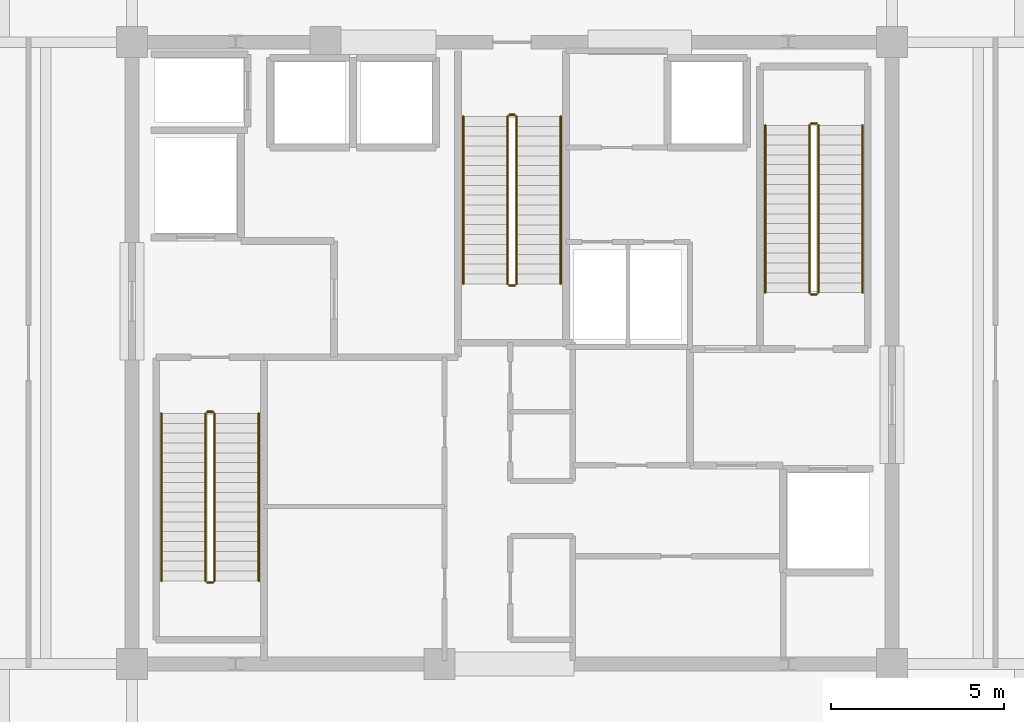
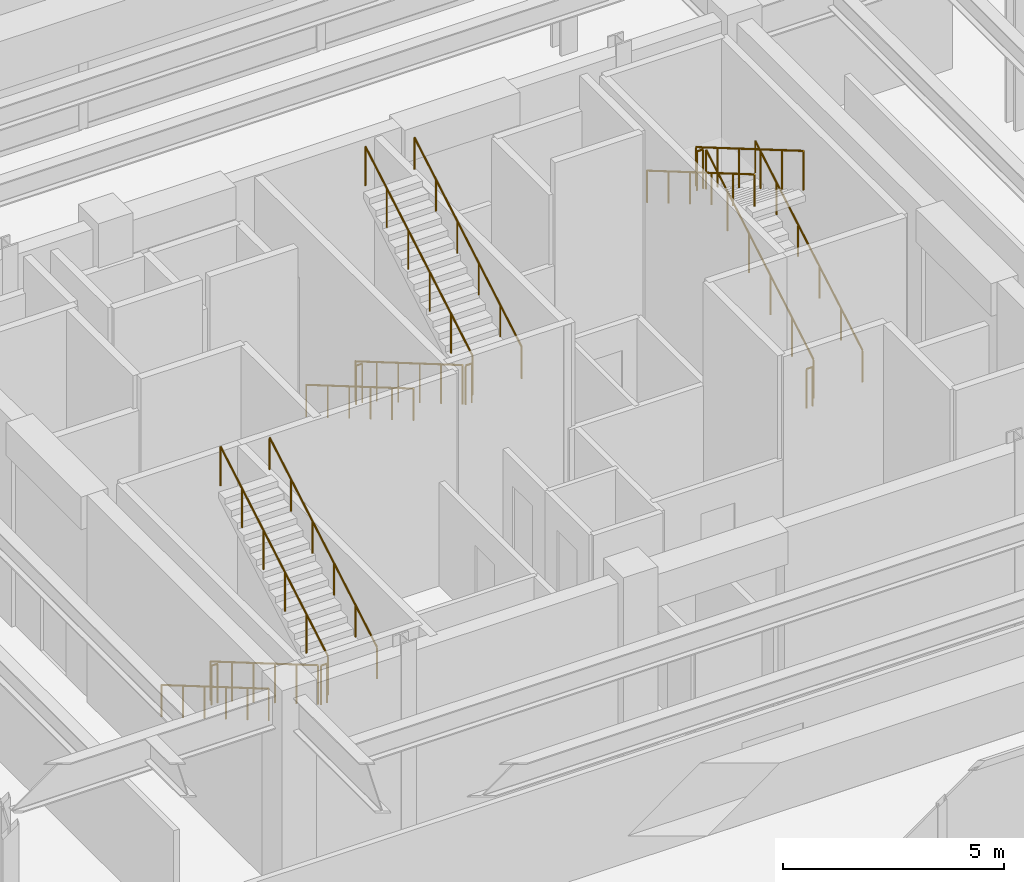
# One storey, part 21 of 21: 18 railings.
"""IFC4 building model written with IfcOpenShell, lengths in metres."""

from ifc_helpers import new_model, si_unit, direction, frame, origin, origin_2d, place, context, subcontext, project, spatial, circle, extrude, material, type_object, element, save


model = new_model("IFC4")

# Units and contexts
model_context = context("Model", 3, precision=1e-05, world=origin(), true_north=direction((0.0, 1.0)))
body_context = subcontext(model_context, "Body", "Model", "MODEL_VIEW")
ifc_project = project(units=[si_unit("LENGTHUNIT", "METRE"), si_unit("AREAUNIT", "SQUARE_METRE"), si_unit("VOLUMEUNIT", "CUBIC_METRE"), si_unit("PLANEANGLEUNIT", "RADIAN"), si_unit("MASSUNIT", "GRAM", prefix="KILO")], contexts=[model_context])

# Site, building, storey
site_placement = place(None, origin())
site = spatial("IfcSite", under=ifc_project, at=site_placement, CompositionType="ELEMENT")
building_placement = place(site_placement, origin())
building = spatial("IfcBuilding", under=site, at=building_placement, Name="Kovane Verandah Tower", CompositionType="ELEMENT")
storey_placement = place(building_placement, frame((0.0, 0.0, 342.800048828125)))
storey = spatial("IfcBuildingStorey", under=building, at=storey_placement, Name="L80", CompositionType="ELEMENT", Elevation=342.800048828125)

# Railings
ifc_material_1 = material(Name="Brushed Stainless Steel Handrail", Category="steel")
railing_type_1 = type_object("IfcRailingType", Name="RL-HAND-920", PredefinedType="HANDRAIL", material=ifc_material_1)
railing_1_placement = place(storey_placement, frame((29.85009765625, 25.75, 0.16650390625)))
element("IfcRailing", 1, at=railing_1_placement, inside=storey, type_object=railing_type_1, Name="L80 ST-01 stair handrail 1", PredefinedType="HANDRAIL", context=body_context, shape_type="SweptSolid", body=[
    extrude(circle(Radius=0.02392578125, at=origin_2d()), frame((0.0, 0.0, 0.8759765625), z_axis=(0.0, -0.863215142801, 0.504836228136), x_axis=(1.0, 0.0, 0.0)), (0.0, 0.0, 1.0), 5.61279296875),
    extrude(circle(Radius=0.02099609375, at=origin_2d()), origin(), (0.0, 0.0, 1.0), 0.851806640625),
    extrude(circle(Radius=0.02099609375, at=origin_2d()), frame((0.0, -0.968994140625, 0.566650390625)), (0.0, 0.0, 1.0), 0.851806640625),
    extrude(circle(Radius=0.02099609375, at=origin_2d()), frame((0.0, -1.93798828125, 1.13330078125)), (0.0, 0.0, 1.0), 0.851806640625),
    extrude(circle(Radius=0.02099609375, at=origin_2d()), frame((0.0, -2.906982421875, 1.7001953125)), (0.0, 0.0, 1.0), 0.851806640625),
    extrude(circle(Radius=0.02099609375, at=origin_2d()), frame((0.0, -3.8759765625, 2.266845703125)), (0.0, 0.0, 1.0), 0.851806640625),
    extrude(circle(Radius=0.02099609375, at=origin_2d()), frame((0.0, -4.844970703125, 2.83349609375)), (0.0, 0.0, 1.0), 0.851806640625),
])
for number, where, name in (
    (2, (32.669921875, 20.905029296875, 3.16650390625), "L80 ST-01 stair handrail 2"),
    (3, (50.14990234375, 29.25, 0.16650390625), "L80 ST-02 stair handrail 1"),
):
    element("IfcRailing", number, at=place(storey_placement, frame(where)), inside=storey, type_object=railing_type_1, Name=name, PredefinedType="HANDRAIL", context=body_context, shape_type="SweptSolid", body=[
        extrude(circle(Radius=0.02392578125, at=origin_2d()), frame((0.0, 0.0, 0.8759765625), z_axis=(0.0, 0.863215142801, 0.504836228136), x_axis=(-1.0, 0.0, 0.0)), (0.0, 0.0, 1.0), 5.61279296875),
        extrude(circle(Radius=0.02099609375, at=origin_2d()), origin(), (0.0, 0.0, 1.0), 0.851806640625),
        extrude(circle(Radius=0.02099609375, at=origin_2d()), frame((0.0, 0.968994140625, 0.566650390625)), (0.0, 0.0, 1.0), 0.851806640625),
        extrude(circle(Radius=0.02099609375, at=origin_2d()), frame((0.0, 1.93798828125, 1.13330078125)), (0.0, 0.0, 1.0), 0.851806640625),
        extrude(circle(Radius=0.02099609375, at=origin_2d()), frame((0.0, 2.906982421875, 1.7001953125)), (0.0, 0.0, 1.0), 0.851806640625),
        extrude(circle(Radius=0.02099609375, at=origin_2d()), frame((0.0, 3.8759765625, 2.266845703125)), (0.0, 0.0, 1.0), 0.851806640625),
        extrude(circle(Radius=0.02099609375, at=origin_2d()), frame((0.0, 4.844970703125, 2.83349609375)), (0.0, 0.0, 1.0), 0.851806640625),
    ])
railing_2_placement = place(storey_placement, frame((47.330078125, 34.094970703125, 3.16650390625)))
element("IfcRailing", 4, at=railing_2_placement, inside=storey, type_object=railing_type_1, Name="L80 ST-02 stair handrail 2", PredefinedType="HANDRAIL", context=body_context, shape_type="SweptSolid", body=[
    extrude(circle(Radius=0.02392578125, at=origin_2d()), frame((0.0, 0.0, 0.8759765625), z_axis=(0.0, -0.863215142801, 0.504836228136), x_axis=(1.0, 0.0, 0.0)), (0.0, 0.0, 1.0), 5.61279296875),
    extrude(circle(Radius=0.02099609375, at=origin_2d()), origin(), (0.0, 0.0, 1.0), 0.851806640625),
    extrude(circle(Radius=0.02099609375, at=origin_2d()), frame((0.0, -0.968994140625, 0.566650390625)), (0.0, 0.0, 1.0), 0.851806640625),
    extrude(circle(Radius=0.02099609375, at=origin_2d()), frame((0.0, -1.93798828125, 1.13330078125)), (0.0, 0.0, 1.0), 0.851806640625),
    extrude(circle(Radius=0.02099609375, at=origin_2d()), frame((0.0, -2.906982421875, 1.7001953125)), (0.0, 0.0, 1.0), 0.851806640625),
    extrude(circle(Radius=0.02099609375, at=origin_2d()), frame((0.0, -3.8759765625, 2.266845703125)), (0.0, 0.0, 1.0), 0.851806640625),
    extrude(circle(Radius=0.02099609375, at=origin_2d()), frame((0.0, -4.844970703125, 2.83349609375)), (0.0, 0.0, 1.0), 0.851806640625),
])
railing_3_placement = place(storey_placement, frame((38.590087890625, 34.35009765625, 0.16650390625)))
element("IfcRailing", 5, at=railing_3_placement, inside=storey, type_object=railing_type_1, Name="L80 ST-03 stair handrail 1", PredefinedType="HANDRAIL", context=body_context, shape_type="SweptSolid", body=[
    extrude(circle(Radius=0.02392578125, at=origin_2d()), frame((0.0, 0.0, 0.8759765625), z_axis=(0.0, -0.863226228026, 0.504817273127), x_axis=(1.0, 0.0, 0.0)), (0.0, 0.0, 1.0), 5.61279296875),
    extrude(circle(Radius=0.02099609375, at=origin_2d()), origin(), (0.0, 0.0, 1.0), 0.851806640625),
    extrude(circle(Radius=0.02099609375, at=origin_2d()), frame((0.0, -0.968994140625, 0.566650390625)), (0.0, 0.0, 1.0), 0.851806640625),
    extrude(circle(Radius=0.02099609375, at=origin_2d()), frame((0.0, -1.93798828125, 1.13330078125)), (0.0, 0.0, 1.0), 0.851806640625),
    extrude(circle(Radius=0.02099609375, at=origin_2d()), frame((0.0, -2.9072265625, 1.7001953125)), (0.0, 0.0, 1.0), 0.851806640625),
    extrude(circle(Radius=0.02099609375, at=origin_2d()), frame((0.0, -3.876220703125, 2.266845703125)), (0.0, 0.0, 1.0), 0.851806640625),
    extrude(circle(Radius=0.02099609375, at=origin_2d()), frame((0.0, -4.84521484375, 2.83349609375)), (0.0, 0.0, 1.0), 0.851806640625),
])
railing_4_placement = place(storey_placement, frame((41.409912109375, 29.5048828125, 3.16650390625)))
element("IfcRailing", 6, at=railing_4_placement, inside=storey, type_object=railing_type_1, Name="L80 ST-03 stair handrail 2", PredefinedType="HANDRAIL", context=body_context, shape_type="SweptSolid", body=[
    extrude(circle(Radius=0.02392578125, at=origin_2d()), frame((0.0, 0.0, 0.8759765625), z_axis=(0.0, 0.863226228026, 0.504817273127), x_axis=(-1.0, 0.0, 0.0)), (0.0, 0.0, 1.0), 5.61279296875),
    extrude(circle(Radius=0.02099609375, at=origin_2d()), origin(), (0.0, 0.0, 1.0), 0.851806640625),
    extrude(circle(Radius=0.02099609375, at=origin_2d()), frame((0.0, 0.968994140625, 0.566650390625)), (0.0, 0.0, 1.0), 0.851806640625),
    extrude(circle(Radius=0.02099609375, at=origin_2d()), frame((0.0, 1.93798828125, 1.13330078125)), (0.0, 0.0, 1.0), 0.851806640625),
    extrude(circle(Radius=0.02099609375, at=origin_2d()), frame((0.0, 2.9072265625, 1.7001953125)), (0.0, 0.0, 1.0), 0.851806640625),
    extrude(circle(Radius=0.02099609375, at=origin_2d()), frame((0.0, 3.876220703125, 2.266845703125)), (0.0, 0.0, 1.0), 0.851806640625),
    extrude(circle(Radius=0.02099609375, at=origin_2d()), frame((0.0, 4.84521484375, 2.83349609375)), (0.0, 0.0, 1.0), 0.851806640625),
])
ifc_material_2 = material(Name="Painted Steel Stairwell Guardrail", Category="steel")
railing_type_2 = type_object("IfcRailingType", Name="RL-STGUARD-1120", PredefinedType="GUARDRAIL", material=ifc_material_2)
railing_5_placement = place(storey_placement, frame((31.1298828125, 25.75, 0.16650390625)))
element("IfcRailing", 7, at=railing_5_placement, inside=storey, type_object=railing_type_2, Name="L80 ST-01 stair guard 1", PredefinedType="GUARDRAIL", context=body_context, shape_type="SweptSolid", body=[
    extrude(circle(Radius=0.02392578125, at=origin_2d()), frame((0.0, 0.0, 1.076171875), z_axis=(0.0, -0.863215142801, 0.504836228136), x_axis=(1.0, 0.0, 0.0)), (0.0, 0.0, 1.0), 5.61279296875),
    extrude(circle(Radius=0.02099609375, at=origin_2d()), origin(), (0.0, 0.0, 1.0), 1.052001953125),
    extrude(circle(Radius=0.02099609375, at=origin_2d()), frame((0.0, -0.968994140625, 0.566650390625)), (0.0, 0.0, 1.0), 1.052001953125),
    extrude(circle(Radius=0.02099609375, at=origin_2d()), frame((0.0, -1.93798828125, 1.13330078125)), (0.0, 0.0, 1.0), 1.052001953125),
    extrude(circle(Radius=0.02099609375, at=origin_2d()), frame((0.0, -2.906982421875, 1.7001953125)), (0.0, 0.0, 1.0), 1.052001953125),
    extrude(circle(Radius=0.02099609375, at=origin_2d()), frame((0.0, -3.8759765625, 2.266845703125)), (0.0, 0.0, 1.0), 1.052001953125),
    extrude(circle(Radius=0.02099609375, at=origin_2d()), frame((0.0, -4.844970703125, 2.83349609375)), (0.0, 0.0, 1.0), 1.052001953125),
])
railing_6_placement = place(storey_placement, frame((31.179931640625, 20.85498046875, 3.0)))
element("IfcRailing", 8, at=railing_6_placement, inside=storey, type_object=railing_type_2, Name="L80 ST-01 stair guard 2", PredefinedType="GUARDRAIL", context=body_context, shape_type="SweptSolid", body=[
    extrude(circle(Radius=0.02392578125, at=origin_2d()), frame((0.0, 0.0, 1.076171875), z_axis=(1.0, 0.0, 0.0), x_axis=(0.0, 1.0, 0.0)), (0.0, 0.0, 1.0), 0.16015625),
    extrude(circle(Radius=0.02099609375, at=origin_2d()), origin(), (0.0, 0.0, 1.0), 1.052001953125),
    extrude(circle(Radius=0.02099609375, at=origin_2d()), frame((0.16015625, 0.0, 0.0)), (0.0, 0.0, 1.0), 1.052001953125),
])
railing_7_placement = place(storey_placement, frame((31.389892578125, 20.905029296875, 3.16650390625)))
element("IfcRailing", 9, at=railing_7_placement, inside=storey, type_object=railing_type_2, Name="L80 ST-01 stair guard 3", PredefinedType="GUARDRAIL", context=body_context, shape_type="SweptSolid", body=[
    extrude(circle(Radius=0.02392578125, at=origin_2d()), frame((0.0, 0.0, 1.076171875), z_axis=(0.0, 0.863215142801, 0.504836228136), x_axis=(-1.0, 0.0, 0.0)), (0.0, 0.0, 1.0), 5.61279296875),
    extrude(circle(Radius=0.02099609375, at=origin_2d()), origin(), (0.0, 0.0, 1.0), 1.052001953125),
    extrude(circle(Radius=0.02099609375, at=origin_2d()), frame((0.0, 0.968994140625, 0.566650390625)), (0.0, 0.0, 1.0), 1.052001953125),
    extrude(circle(Radius=0.02099609375, at=origin_2d()), frame((0.0, 1.93798828125, 1.13330078125)), (0.0, 0.0, 1.0), 1.052001953125),
    extrude(circle(Radius=0.02099609375, at=origin_2d()), frame((0.0, 2.906982421875, 1.7001953125)), (0.0, 0.0, 1.0), 1.052001953125),
    extrude(circle(Radius=0.02099609375, at=origin_2d()), frame((0.0, 3.8759765625, 2.266845703125)), (0.0, 0.0, 1.0), 1.052001953125),
    extrude(circle(Radius=0.02099609375, at=origin_2d()), frame((0.0, 4.844970703125, 2.83349609375)), (0.0, 0.0, 1.0), 1.052001953125),
])
railing_8_placement = place(storey_placement, frame((31.179931640625, 25.800048828125, 0.0)))
element("IfcRailing", 10, at=railing_8_placement, inside=storey, type_object=railing_type_2, Name="L80 ST-01 stair guard 4", PredefinedType="GUARDRAIL", context=body_context, shape_type="SweptSolid", body=[
    extrude(circle(Radius=0.02392578125, at=origin_2d()), frame((0.0, 0.0, 1.076171875), z_axis=(1.0, 0.0, 0.0), x_axis=(0.0, 1.0, 0.0)), (0.0, 0.0, 1.0), 0.16015625),
    extrude(circle(Radius=0.02099609375, at=origin_2d()), origin(), (0.0, 0.0, 1.0), 1.052001953125),
    extrude(circle(Radius=0.02099609375, at=origin_2d()), frame((0.16015625, 0.0, 0.0)), (0.0, 0.0, 1.0), 1.052001953125),
])
railing_9_placement = place(storey_placement, frame((48.8701171875, 29.25, 0.16650390625)))
element("IfcRailing", 11, at=railing_9_placement, inside=storey, type_object=railing_type_2, Name="L80 ST-02 stair guard 1", PredefinedType="GUARDRAIL", context=body_context, shape_type="SweptSolid", body=[
    extrude(circle(Radius=0.02392578125, at=origin_2d()), frame((0.0, 0.0, 1.076171875), z_axis=(0.0, 0.863215142801, 0.504836228136), x_axis=(-1.0, 0.0, 0.0)), (0.0, 0.0, 1.0), 5.61279296875),
    extrude(circle(Radius=0.02099609375, at=origin_2d()), origin(), (0.0, 0.0, 1.0), 1.052001953125),
    extrude(circle(Radius=0.02099609375, at=origin_2d()), frame((0.0, 0.968994140625, 0.566650390625)), (0.0, 0.0, 1.0), 1.052001953125),
    extrude(circle(Radius=0.02099609375, at=origin_2d()), frame((0.0, 1.93798828125, 1.13330078125)), (0.0, 0.0, 1.0), 1.052001953125),
    extrude(circle(Radius=0.02099609375, at=origin_2d()), frame((0.0, 2.906982421875, 1.7001953125)), (0.0, 0.0, 1.0), 1.052001953125),
    extrude(circle(Radius=0.02099609375, at=origin_2d()), frame((0.0, 3.8759765625, 2.266845703125)), (0.0, 0.0, 1.0), 1.052001953125),
    extrude(circle(Radius=0.02099609375, at=origin_2d()), frame((0.0, 4.844970703125, 2.83349609375)), (0.0, 0.0, 1.0), 1.052001953125),
])
railing_10_placement = place(storey_placement, frame((48.820068359375, 34.14501953125, 3.0)))
element("IfcRailing", 12, at=railing_10_placement, inside=storey, type_object=railing_type_2, Name="L80 ST-02 stair guard 2", PredefinedType="GUARDRAIL", context=body_context, shape_type="SweptSolid", body=[
    extrude(circle(Radius=0.02392578125, at=origin_2d()), frame((0.0, 0.0, 1.076171875), z_axis=(-1.0, 0.0, 0.0), x_axis=(0.0, -1.0, 0.0)), (0.0, 0.0, 1.0), 0.16015625),
    extrude(circle(Radius=0.02099609375, at=origin_2d()), origin(), (0.0, 0.0, 1.0), 1.052001953125),
    extrude(circle(Radius=0.02099609375, at=origin_2d()), frame((-0.16015625, 0.0, 0.0)), (0.0, 0.0, 1.0), 1.052001953125),
])
railing_11_placement = place(storey_placement, frame((48.610107421875, 34.094970703125, 3.16650390625)))
element("IfcRailing", 13, at=railing_11_placement, inside=storey, type_object=railing_type_2, Name="L80 ST-02 stair guard 3", PredefinedType="GUARDRAIL", context=body_context, shape_type="SweptSolid", body=[
    extrude(circle(Radius=0.02392578125, at=origin_2d()), frame((0.0, 0.0, 1.076171875), z_axis=(0.0, -0.863215142801, 0.504836228136), x_axis=(1.0, 0.0, 0.0)), (0.0, 0.0, 1.0), 5.61279296875),
    extrude(circle(Radius=0.02099609375, at=origin_2d()), origin(), (0.0, 0.0, 1.0), 1.052001953125),
    extrude(circle(Radius=0.02099609375, at=origin_2d()), frame((0.0, -0.968994140625, 0.566650390625)), (0.0, 0.0, 1.0), 1.052001953125),
    extrude(circle(Radius=0.02099609375, at=origin_2d()), frame((0.0, -1.93798828125, 1.13330078125)), (0.0, 0.0, 1.0), 1.052001953125),
    extrude(circle(Radius=0.02099609375, at=origin_2d()), frame((0.0, -2.906982421875, 1.7001953125)), (0.0, 0.0, 1.0), 1.052001953125),
    extrude(circle(Radius=0.02099609375, at=origin_2d()), frame((0.0, -3.8759765625, 2.266845703125)), (0.0, 0.0, 1.0), 1.052001953125),
    extrude(circle(Radius=0.02099609375, at=origin_2d()), frame((0.0, -4.844970703125, 2.83349609375)), (0.0, 0.0, 1.0), 1.052001953125),
])
railing_12_placement = place(storey_placement, frame((48.820068359375, 29.199951171875, 0.0)))
element("IfcRailing", 14, at=railing_12_placement, inside=storey, type_object=railing_type_2, Name="L80 ST-02 stair guard 4", PredefinedType="GUARDRAIL", context=body_context, shape_type="SweptSolid", body=[
    extrude(circle(Radius=0.02392578125, at=origin_2d()), frame((0.0, 0.0, 1.076171875), z_axis=(-1.0, 0.0, 0.0), x_axis=(0.0, -1.0, 0.0)), (0.0, 0.0, 1.0), 0.16015625),
    extrude(circle(Radius=0.02099609375, at=origin_2d()), origin(), (0.0, 0.0, 1.0), 1.052001953125),
    extrude(circle(Radius=0.02099609375, at=origin_2d()), frame((-0.16015625, 0.0, 0.0)), (0.0, 0.0, 1.0), 1.052001953125),
])
railing_13_placement = place(storey_placement, frame((39.8701171875, 34.35009765625, 0.16650390625)))
element("IfcRailing", 15, at=railing_13_placement, inside=storey, type_object=railing_type_2, Name="L80 ST-03 stair guard 1", PredefinedType="GUARDRAIL", context=body_context, shape_type="SweptSolid", body=[
    extrude(circle(Radius=0.02392578125, at=origin_2d()), frame((0.0, 0.0, 1.076171875), z_axis=(0.0, -0.863226228026, 0.504817273127), x_axis=(1.0, 0.0, 0.0)), (0.0, 0.0, 1.0), 5.61279296875),
    extrude(circle(Radius=0.02099609375, at=origin_2d()), origin(), (0.0, 0.0, 1.0), 1.052001953125),
    extrude(circle(Radius=0.02099609375, at=origin_2d()), frame((0.0, -0.968994140625, 0.566650390625)), (0.0, 0.0, 1.0), 1.052001953125),
    extrude(circle(Radius=0.02099609375, at=origin_2d()), frame((0.0, -1.93798828125, 1.13330078125)), (0.0, 0.0, 1.0), 1.052001953125),
    extrude(circle(Radius=0.02099609375, at=origin_2d()), frame((0.0, -2.9072265625, 1.7001953125)), (0.0, 0.0, 1.0), 1.052001953125),
    extrude(circle(Radius=0.02099609375, at=origin_2d()), frame((0.0, -3.876220703125, 2.266845703125)), (0.0, 0.0, 1.0), 1.052001953125),
    extrude(circle(Radius=0.02099609375, at=origin_2d()), frame((0.0, -4.84521484375, 2.83349609375)), (0.0, 0.0, 1.0), 1.052001953125),
])
railing_14_placement = place(storey_placement, frame((39.919921875, 29.455078125, 3.0)))
element("IfcRailing", 16, at=railing_14_placement, inside=storey, type_object=railing_type_2, Name="L80 ST-03 stair guard 2", PredefinedType="GUARDRAIL", context=body_context, shape_type="SweptSolid", body=[
    extrude(circle(Radius=0.02392578125, at=origin_2d()), frame((0.0, 0.0, 1.076171875), z_axis=(1.0, 0.0, 0.0), x_axis=(0.0, 1.0, 0.0)), (0.0, 0.0, 1.0), 0.16015625),
    extrude(circle(Radius=0.02099609375, at=origin_2d()), origin(), (0.0, 0.0, 1.0), 1.052001953125),
    extrude(circle(Radius=0.02099609375, at=origin_2d()), frame((0.16015625, 0.0, 0.0)), (0.0, 0.0, 1.0), 1.052001953125),
])
railing_15_placement = place(storey_placement, frame((40.1298828125, 29.5048828125, 3.16650390625)))
element("IfcRailing", 17, at=railing_15_placement, inside=storey, type_object=railing_type_2, Name="L80 ST-03 stair guard 3", PredefinedType="GUARDRAIL", context=body_context, shape_type="SweptSolid", body=[
    extrude(circle(Radius=0.02392578125, at=origin_2d()), frame((0.0, 0.0, 1.076171875), z_axis=(0.0, 0.863226228026, 0.504817273127), x_axis=(-1.0, 0.0, 0.0)), (0.0, 0.0, 1.0), 5.61279296875),
    extrude(circle(Radius=0.02099609375, at=origin_2d()), origin(), (0.0, 0.0, 1.0), 1.052001953125),
    extrude(circle(Radius=0.02099609375, at=origin_2d()), frame((0.0, 0.968994140625, 0.566650390625)), (0.0, 0.0, 1.0), 1.052001953125),
    extrude(circle(Radius=0.02099609375, at=origin_2d()), frame((0.0, 1.93798828125, 1.13330078125)), (0.0, 0.0, 1.0), 1.052001953125),
    extrude(circle(Radius=0.02099609375, at=origin_2d()), frame((0.0, 2.9072265625, 1.7001953125)), (0.0, 0.0, 1.0), 1.052001953125),
    extrude(circle(Radius=0.02099609375, at=origin_2d()), frame((0.0, 3.876220703125, 2.266845703125)), (0.0, 0.0, 1.0), 1.052001953125),
    extrude(circle(Radius=0.02099609375, at=origin_2d()), frame((0.0, 4.84521484375, 2.83349609375)), (0.0, 0.0, 1.0), 1.052001953125),
])
railing_16_placement = place(storey_placement, frame((39.919921875, 34.39990234375, 0.0)))
element("IfcRailing", 18, at=railing_16_placement, inside=storey, type_object=railing_type_2, Name="L80 ST-03 stair guard 4", PredefinedType="GUARDRAIL", context=body_context, shape_type="SweptSolid", body=[
    extrude(circle(Radius=0.02392578125, at=origin_2d()), frame((0.0, 0.0, 1.076171875), z_axis=(1.0, 0.0, 0.0), x_axis=(0.0, 1.0, 0.0)), (0.0, 0.0, 1.0), 0.16015625),
    extrude(circle(Radius=0.02099609375, at=origin_2d()), origin(), (0.0, 0.0, 1.0), 1.052001953125),
    extrude(circle(Radius=0.02099609375, at=origin_2d()), frame((0.16015625, 0.0, 0.0)), (0.0, 0.0, 1.0), 1.052001953125),
])

save(model, "model.ifc")
